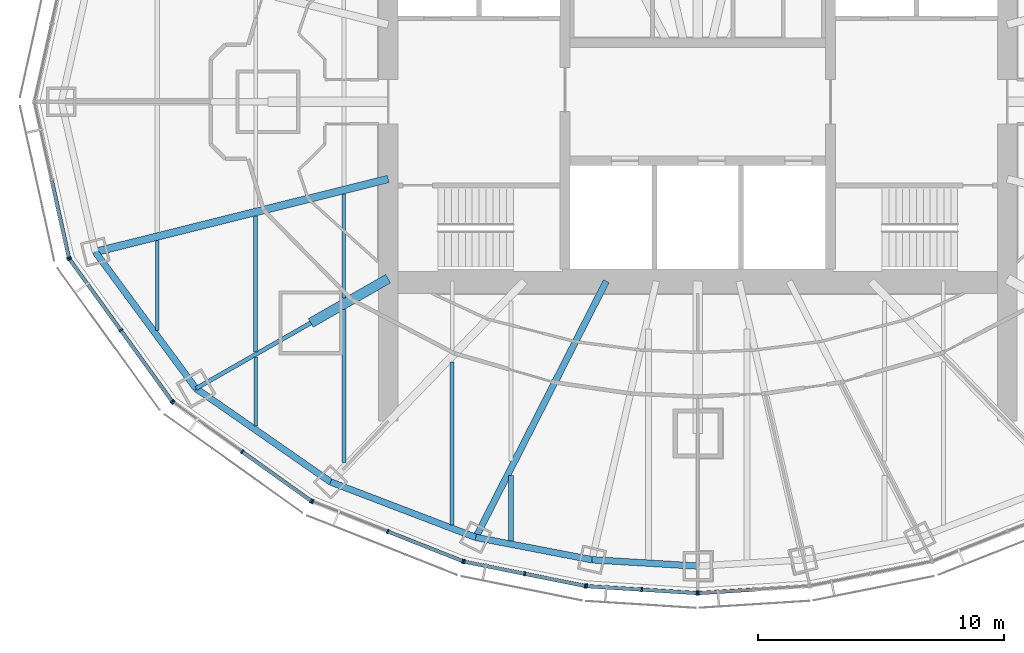
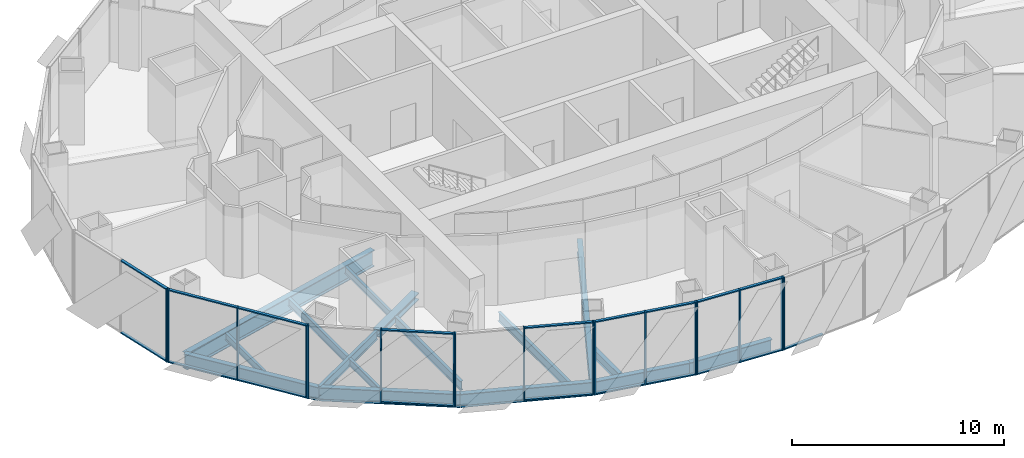
# One storey, part 2 of 17: 36 members, 16 beams, 7 elements without a shape of their own.
"""IFC4 building model written with IfcOpenShell, lengths in metres."""

from ifc_helpers import new_model, si_unit, direction, frame, origin, origin_2d, place, context, subcontext, project, spatial, rectangle, i_section, extrude, material, material_profile, profile_set, type_object, element, aggregate, save


model = new_model("IFC4")

# Units and contexts
model_context = context("Model", 3, precision=1e-05, world=origin(), true_north=direction((0.0, 1.0)))
body_context = subcontext(model_context, "Body", "Model", "MODEL_VIEW")
ifc_project = project(units=[si_unit("LENGTHUNIT", "METRE"), si_unit("AREAUNIT", "SQUARE_METRE"), si_unit("VOLUMEUNIT", "CUBIC_METRE"), si_unit("PLANEANGLEUNIT", "RADIAN"), si_unit("MASSUNIT", "GRAM", prefix="KILO")], contexts=[model_context])

# Site, building, storey
site_placement = place(None, origin())
site = spatial("IfcSite", under=ifc_project, at=site_placement, CompositionType="ELEMENT")
building_placement = place(site_placement, origin())
building = spatial("IfcBuilding", under=site, at=building_placement, Name="Lantaw Convention Tower", CompositionType="ELEMENT")
storey_placement = place(building_placement, frame((0.0, 0.0, 224.199951171875)))
storey = spatial("IfcBuildingStorey", under=building, at=storey_placement, Name="L52", CompositionType="ELEMENT", Elevation=224.199951171875)

# Beams
ifc_material_1 = material(Name="Steel ASTM A992", Category="steel")
ifc_material_profile_1 = material_profile(ifc_material_1, i_section(OverallWidth=0.2666015625, OverallDepth=0.76953125, WebThickness=0.015625, FlangeThickness=0.025390625, FilletRadius=0.0126953125, at=origin_2d()), Name="W30X132")
ifc_profile_set_1 = profile_set([ifc_material_profile_1], Name="Steel ASTM A992")
beam_type_1 = type_object("IfcBeamType", Name="Beam E W30X132", PredefinedType="SPANDREL", material=ifc_profile_set_1)
beam_1_placement = place(storey_placement, frame((-24.52197265625, -6.114013671875, -0.53466796875), z_axis=(0.593639188853, -0.804731329984, 0.0), x_axis=(0.804731329984, 0.593639188853, 0.0)))
element("IfcBeam", 1, at=beam_1_placement, inside=storey, type_object=beam_type_1, Name="Edge beam 14", PredefinedType="SPANDREL", context=body_context, shape_type="SweptSolid", body=[
    extrude(i_section(OverallWidth=0.2666015625, OverallDepth=0.76953125, WebThickness=0.015625, FlangeThickness=0.025390625, FilletRadius=0.0126953125, at=origin_2d()), origin(), (0.0, 0.0, 1.0), 6.904541015625),
])
beam_2_placement = place(storey_placement, frame((-20.423095703125, -11.67041015625, -0.53466796875), z_axis=(0.82135329406, -0.570419815869, 0.0), x_axis=(0.570419815869, 0.82135329406, 0.0)))
element("IfcBeam", 2, at=beam_2_placement, inside=storey, type_object=beam_type_1, Name="Edge beam 15", PredefinedType="SPANDREL", context=body_context, shape_type="SweptSolid", body=[
    extrude(i_section(OverallWidth=0.2666015625, OverallDepth=0.76953125, WebThickness=0.015625, FlangeThickness=0.025390625, FilletRadius=0.0126953125, at=origin_2d()), origin(), (0.0, 0.0, 1.0), 6.67041015625),
])
beam_3_placement = place(storey_placement, frame((-14.9443359375, -15.475341796875, -0.53466796875), z_axis=(0.934234988, -0.356658081637, 0.0), x_axis=(0.356658081637, 0.934234988, 0.0)))
element("IfcBeam", 3, at=beam_3_placement, inside=storey, type_object=beam_type_1, Name="Edge beam 16", PredefinedType="SPANDREL", context=body_context, shape_type="SweptSolid", body=[
    extrude(i_section(OverallWidth=0.2666015625, OverallDepth=0.76953125, WebThickness=0.015625, FlangeThickness=0.025390625, FilletRadius=0.0126953125, at=origin_2d()), origin(), (0.0, 0.0, 1.0), 6.32568359375),
])
beam_4_placement = place(storey_placement, frame((-9.03466796875, -17.7314453125, -0.53466796875), z_axis=(0.981972091702, -0.189025953556, 0.0), x_axis=(0.189025953556, 0.981972091702, 0.0)))
element("IfcBeam", 4, at=beam_4_placement, inside=storey, type_object=beam_type_1, Name="Edge beam 17", PredefinedType="SPANDREL", context=body_context, shape_type="SweptSolid", body=[
    extrude(i_section(OverallWidth=0.2666015625, OverallDepth=0.76953125, WebThickness=0.015625, FlangeThickness=0.025390625, FilletRadius=0.0126953125, at=origin_2d()), origin(), (0.0, 0.0, 1.0), 4.817626953125),
])
beam_5_placement = place(storey_placement, frame((-4.303955078125, -18.64208984375, -0.53466796875), z_axis=(0.998210730897, -0.059794119452, 0.0), x_axis=(0.059794119452, 0.998210730897, 0.0)))
element("IfcBeam", 5, at=beam_5_placement, inside=storey, type_object=beam_type_1, Name="Edge beam 18", PredefinedType="SPANDREL", context=body_context, shape_type="SweptSolid", body=[
    extrude(i_section(OverallWidth=0.2666015625, OverallDepth=0.76953125, WebThickness=0.015625, FlangeThickness=0.025390625, FilletRadius=0.0126953125, at=origin_2d()), origin(), (0.0, 0.0, 1.0), 4.311767578125),
])
ifc_material_profile_2 = material_profile(ifc_material_1, i_section(OverallWidth=0.1650390625, OverallDepth=0.52587890625, WebThickness=0.0087890625, FlangeThickness=0.011474609375, FilletRadius=0.0126953125, at=origin_2d()), Name="W21X44")
ifc_profile_set_2 = profile_set([ifc_material_profile_2], Name="Steel ASTM A992")
beam_type_2 = type_object("IfcBeamType", Name="Beam G W21X44", PredefinedType="BEAM", material=ifc_profile_set_2)
beam_6_placement = place(storey_placement, frame((-15.75, -9.0, -0.412841796875), z_axis=(-0.868237559289, -0.496148708192, 0.0), x_axis=(0.496148708192, -0.868237559289, 0.0)))
element("IfcBeam", 6, at=beam_6_placement, inside=storey, type_object=beam_type_2, Name="Floor girder on ray 15", PredefinedType="BEAM", context=body_context, shape_type="SweptSolid", body=[
    extrude(i_section(OverallWidth=0.1650390625, OverallDepth=0.52587890625, WebThickness=0.0087890625, FlangeThickness=0.011474609375, FilletRadius=0.0126953125, at=origin_2d()), origin(), (0.0, 0.0, 1.0), 5.38232421875),
])
ifc_material_profile_3 = material_profile(ifc_material_1, i_section(OverallWidth=0.2666015625, OverallDepth=0.7568359375, WebThickness=0.013916015625, FlangeThickness=0.019287109375, FilletRadius=0.0126953125, at=origin_2d()), Name="W30X108")
ifc_profile_set_3 = profile_set([ifc_material_profile_3], Name="Steel ASTM A992")
beam_type_3 = type_object("IfcBeamType", Name="Beam G W30X108", PredefinedType="BEAM", material=ifc_profile_set_3)
beam_7_placement = place(storey_placement, frame((-3.719482421875, -7.300048828125, -0.5283203125), z_axis=(-0.4539988787, -0.891002254845, 0.0), x_axis=(0.891002254845, -0.4539988787, 0.0)))
element("IfcBeam", 7, at=beam_7_placement, inside=storey, type_object=beam_type_3, Name="Floor girder on ray 17", PredefinedType="BEAM", context=body_context, shape_type="SweptSolid", body=[
    extrude(i_section(OverallWidth=0.2666015625, OverallDepth=0.7568359375, WebThickness=0.013916015625, FlangeThickness=0.019287109375, FilletRadius=0.0126953125, at=origin_2d()), origin(), (0.0, 0.0, 1.0), 11.70751953125),
])
ifc_material_profile_4 = material_profile(ifc_material_1, i_section(OverallWidth=0.307373046875, OverallDepth=0.9423828125, WebThickness=0.022216796875, FlangeThickness=0.039794921875, FilletRadius=0.0126953125, at=origin_2d()), Name="W36X232")
ifc_profile_set_4 = profile_set([ifc_material_profile_4], Name="Steel ASTM A992")
beam_type_4 = type_object("IfcBeamType", Name="Beam G W36X232", PredefinedType="BEAM", material=ifc_profile_set_4)
beam_8_placement = place(storey_placement, frame((-12.60009765625, -3.1416015625, -0.62109375), z_axis=(-0.970296589314, -0.241918434119, 0.0), x_axis=(0.241918434119, -0.970296589314, 0.0)))
element("IfcBeam", 8, at=beam_8_placement, inside=storey, type_object=beam_type_4, Name="Floor girder on ray 14", PredefinedType="BEAM", context=body_context, shape_type="SweptSolid", body=[
    extrude(i_section(OverallWidth=0.307373046875, OverallDepth=0.9423828125, WebThickness=0.022216796875, FlangeThickness=0.039794921875, FilletRadius=0.0126953125, at=origin_2d()), origin(), (0.0, 0.0, 1.0), 12.286865234375),
])
ifc_material_profile_5 = material_profile(ifc_material_1, i_section(OverallWidth=0.40380859375, OverallDepth=0.406494140625, WebThickness=0.027099609375, FlangeThickness=0.043701171875, FilletRadius=0.01513671875, at=origin_2d()), Name="W14X233")
ifc_profile_set_5 = profile_set([ifc_material_profile_5], Name="Steel ASTM A992")
beam_type_5 = type_object("IfcBeamType", Name="Beam GM W14X233", PredefinedType="BEAM", material=ifc_profile_set_5)
beam_9_placement = place(storey_placement, frame((-12.60009765625, -7.199951171875, -0.353271484375), z_axis=(-0.868230718294, -0.496160679428, 0.0), x_axis=(0.496160679428, -0.868230718294, 0.0)))
element("IfcBeam", 9, at=beam_9_placement, inside=storey, type_object=beam_type_5, Name="Core link beam on ray 15", PredefinedType="BEAM", context=body_context, shape_type="SweptSolid", body=[
    extrude(i_section(OverallWidth=0.40380859375, OverallDepth=0.406494140625, WebThickness=0.027099609375, FlangeThickness=0.043701171875, FilletRadius=0.01513671875, at=origin_2d()), origin(), (0.0, 0.0, 1.0), 3.6279296875),
])
ifc_material_profile_6 = material_profile(ifc_material_1, i_section(OverallWidth=0.140380859375, OverallDepth=0.40380859375, WebThickness=0.007080078125, FlangeThickness=0.01123046875, FilletRadius=0.01025390625, at=origin_2d()), Name="W16X31")
ifc_profile_set_6 = profile_set([ifc_material_profile_6], Name="Steel ASTM A992")
beam_type_6 = type_object("IfcBeamType", Name="Beam J W16X31", PredefinedType="JOIST", material=ifc_profile_set_6)
beam_10_placement = place(storey_placement, frame((-22.0, -9.30810546875, -0.351806640625), z_axis=(0.0, 1.0, 0.0), x_axis=(-1.0, 0.0, 0.0)))
element("IfcBeam", 10, at=beam_10_placement, inside=storey, type_object=beam_type_6, Name="Floor joist", PredefinedType="JOIST", context=body_context, shape_type="SweptSolid", body=[
    extrude(i_section(OverallWidth=0.140380859375, OverallDepth=0.40380859375, WebThickness=0.007080078125, FlangeThickness=0.01123046875, FilletRadius=0.01025390625, at=origin_2d()), origin(), (0.0, 0.0, 1.0), 3.66455078125),
])
beam_11_placement = place(storey_placement, frame((-18.0, -13.19091796875, -0.351806640625), z_axis=(0.0, 1.0, 0.0), x_axis=(-1.0, 0.0, 0.0)))
element("IfcBeam", 11, at=beam_11_placement, inside=storey, type_object=beam_type_6, Name="Floor joist", PredefinedType="JOIST", context=body_context, shape_type="SweptSolid", body=[
    extrude(i_section(OverallWidth=0.140380859375, OverallDepth=0.40380859375, WebThickness=0.007080078125, FlangeThickness=0.01123046875, FilletRadius=0.01025390625, at=origin_2d()), origin(), (0.0, 0.0, 1.0), 2.81005859375),
])
beam_12_placement = place(storey_placement, frame((-14.39990234375, -7.99609375, -0.351806640625), z_axis=(0.0, 1.0, 0.0), x_axis=(-1.0, 0.0, 0.0)))
element("IfcBeam", 12, at=beam_12_placement, inside=storey, type_object=beam_type_6, Name="Floor joist", PredefinedType="JOIST", context=body_context, shape_type="SweptSolid", body=[
    extrude(i_section(OverallWidth=0.140380859375, OverallDepth=0.40380859375, WebThickness=0.007080078125, FlangeThickness=0.01123046875, FilletRadius=0.01025390625, at=origin_2d()), origin(), (0.0, 0.0, 1.0), 4.247314453125),
])
ifc_material_profile_7 = material_profile(ifc_material_1, i_section(OverallWidth=0.15234375, OverallDepth=0.449462890625, WebThickness=0.007568359375, FlangeThickness=0.0107421875, FilletRadius=0.01025390625, at=origin_2d()), Name="W18X35")
ifc_profile_set_7 = profile_set([ifc_material_profile_7], Name="Steel ASTM A992")
beam_type_7 = type_object("IfcBeamType", Name="Beam J W18X35", PredefinedType="JOIST", material=ifc_profile_set_7)
beam_13_placement = place(storey_placement, frame((-18.0, -10.190673828125, -0.374755859375), z_axis=(0.0, 1.0, 0.0), x_axis=(-1.0, 0.0, 0.0)))
element("IfcBeam", 13, at=beam_13_placement, inside=storey, type_object=beam_type_7, Name="Floor joist", PredefinedType="JOIST", context=body_context, shape_type="SweptSolid", body=[
    extrude(i_section(OverallWidth=0.15234375, OverallDepth=0.449462890625, WebThickness=0.007568359375, FlangeThickness=0.0107421875, FilletRadius=0.01025390625, at=origin_2d()), origin(), (0.0, 0.0, 1.0), 5.54443359375),
])
ifc_material_profile_8 = material_profile(ifc_material_1, i_section(OverallWidth=0.1650390625, OverallDepth=0.52587890625, WebThickness=0.0087890625, FlangeThickness=0.011474609375, FilletRadius=0.0126953125, at=origin_2d()), Name="W21X44")
ifc_profile_set_8 = profile_set([ifc_material_profile_8], Name="Steel ASTM A992")
beam_type_8 = type_object("IfcBeamType", Name="Beam J W21X44", PredefinedType="JOIST", material=ifc_profile_set_8)
beam_14_placement = place(storey_placement, frame((-14.39990234375, -14.67578125, -0.412841796875), z_axis=(0.0, 1.0, 0.0), x_axis=(-1.0, 0.0, 0.0)))
element("IfcBeam", 14, at=beam_14_placement, inside=storey, type_object=beam_type_8, Name="Floor joist", PredefinedType="JOIST", context=body_context, shape_type="SweptSolid", body=[
    extrude(i_section(OverallWidth=0.1650390625, OverallDepth=0.52587890625, WebThickness=0.0087890625, FlangeThickness=0.011474609375, FilletRadius=0.0126953125, at=origin_2d()), origin(), (0.0, 0.0, 1.0), 6.214599609375),
])
beam_15_placement = place(storey_placement, frame((-10.0, -17.22021484375, -0.412841796875), z_axis=(0.0, 1.0, 0.0), x_axis=(-1.0, 0.0, 0.0)))
element("IfcBeam", 15, at=beam_15_placement, inside=storey, type_object=beam_type_8, Name="Floor joist", PredefinedType="JOIST", context=body_context, shape_type="SweptSolid", body=[
    extrude(i_section(OverallWidth=0.1650390625, OverallDepth=0.52587890625, WebThickness=0.0087890625, FlangeThickness=0.011474609375, FilletRadius=0.0126953125, at=origin_2d()), origin(), (0.0, 0.0, 1.0), 6.629150390625),
])
ifc_material_profile_9 = material_profile(ifc_material_1, i_section(OverallWidth=0.2099609375, OverallDepth=0.535888671875, WebThickness=0.010986328125, FlangeThickness=0.017333984375, FilletRadius=0.012939453125, at=origin_2d()), Name="W21X68")
ifc_profile_set_9 = profile_set([ifc_material_profile_9], Name="Steel ASTM A992")
beam_type_9 = type_object("IfcBeamType", Name="Beam J W21X68", PredefinedType="JOIST", material=ifc_profile_set_9)
beam_16_placement = place(storey_placement, frame((-7.60009765625, -17.871826171875, -0.41796875), z_axis=(0.0, 1.0, 0.0), x_axis=(-1.0, 0.0, 0.0)))
element("IfcBeam", 16, at=beam_16_placement, inside=storey, type_object=beam_type_9, Name="Floor joist", PredefinedType="JOIST", context=body_context, shape_type="SweptSolid", body=[
    extrude(i_section(OverallWidth=0.2099609375, OverallDepth=0.535888671875, WebThickness=0.010986328125, FlangeThickness=0.017333984375, FilletRadius=0.012939453125, at=origin_2d()), origin(), (0.0, 0.0, 1.0), 2.662353515625),
])

# Curtain wall, member
ifc_material_2 = material(Name="Aluminium framed curtain wall", Category="aluminium")
curtain_wall_type = type_object("IfcCurtainWallType", Name="Office curtain wall high rise, pale aluminium", PredefinedType="USERDEFINED", material=ifc_material_2)
curtain_wall_1_placement = place(storey_placement, origin())
curtain_wall_1 = element("IfcCurtainWall", 17, at=curtain_wall_1_placement, inside=storey, type_object=curtain_wall_type, Name="Office curtain wall high rise, pale aluminium L52", ObjectType="UNITISED CURTAIN WALL", PredefinedType="USERDEFINED")
ifc_material_3 = material(Name="Aluminium 6063-T6", Category="aluminium")
ifc_material_profile_10 = material_profile(ifc_material_3, rectangle(XDim=0.179931640625, YDim=0.06494140625, at=origin_2d()), Name="CW-O2 mullion 65x180")
ifc_profile_set_10 = profile_set([ifc_material_profile_10], Name="Aluminium 6063-T6")
member_type_1 = type_object("IfcMemberType", Name="CW-O2 mullion 65x180", PredefinedType="MULLION", material=ifc_profile_set_10)
member_1_placement = place(storey_placement, frame((-25.596435546875, -6.348388671875, -0.14990234375), z_axis=(0.0, 0.0, 1.0), x_axis=(0.976417396437, 0.215891333626, 0.0)))
member_1 = element("IfcMember", 18, at=member_1_placement, type_object=member_type_1, Name="CW-O2 mullion 3", PredefinedType="MULLION", context=body_context, shape_type="SweptSolid", body=[
    extrude(rectangle(XDim=0.179931640625, YDim=0.06494140625, at=origin_2d()), origin(), (0.0, 0.0, 1.0), 4.199951171875),
])

# Curtain wall, members
curtain_wall_2_placement = place(storey_placement, origin())
curtain_wall_2 = element("IfcCurtainWall", 19, at=curtain_wall_2_placement, inside=storey, type_object=curtain_wall_type, Name="Office curtain wall high rise, pale aluminium L52", ObjectType="UNITISED CURTAIN WALL", PredefinedType="USERDEFINED")
member_2_placement = place(storey_placement, frame((-25.5703125, -6.406494140625, -0.14990234375), z_axis=(0.0, 0.0, 1.0), x_axis=(0.810919559405, 0.585157643865, 0.0)))
member_2 = element("IfcMember", 20, at=member_2_placement, type_object=member_type_1, Name="CW-O2 mullion 1", PredefinedType="MULLION", context=body_context, shape_type="SweptSolid", body=[
    extrude(rectangle(XDim=0.179931640625, YDim=0.06494140625, at=origin_2d()), origin(), (0.0, 0.0, 1.0), 4.199951171875),
])
member_3_placement = place(storey_placement, frame((-23.483642578125, -9.298095703125, -0.14990234375), z_axis=(0.0, 0.0, 1.0), x_axis=(0.810919559405, 0.585157643865, 0.0)))
member_3 = element("IfcMember", 21, at=member_3_placement, type_object=member_type_1, Name="CW-O2 mullion 2", PredefinedType="MULLION", context=body_context, shape_type="SweptSolid", body=[
    extrude(rectangle(XDim=0.179931640625, YDim=0.06494140625, at=origin_2d()), origin(), (0.0, 0.0, 1.0), 4.199951171875),
])
member_4_placement = place(storey_placement, frame((-21.397216796875, -12.189697265625, -0.14990234375), z_axis=(0.0, 0.0, 1.0), x_axis=(0.810919559405, 0.585157643865, 0.0)))
member_4 = element("IfcMember", 22, at=member_4_placement, type_object=member_type_1, Name="CW-O2 mullion 3", PredefinedType="MULLION", context=body_context, shape_type="SweptSolid", body=[
    extrude(rectangle(XDim=0.179931640625, YDim=0.06494140625, at=origin_2d()), origin(), (0.0, 0.0, 1.0), 4.199951171875),
])

curtain_wall_3_placement = place(storey_placement, origin())
curtain_wall_3 = element("IfcCurtainWall", 23, at=curtain_wall_3_placement, inside=storey, type_object=curtain_wall_type, Name="Office curtain wall high rise, pale aluminium L52", ObjectType="UNITISED CURTAIN WALL", PredefinedType="USERDEFINED")
member_5_placement = place(storey_placement, frame((-21.3515625, -12.23486328125, -0.14990234375), z_axis=(0.0, 0.0, 1.0), x_axis=(0.581323487281, 0.813672540482, 0.0)))
member_5 = element("IfcMember", 24, at=member_5_placement, type_object=member_type_1, Name="CW-O2 mullion 1", PredefinedType="MULLION", context=body_context, shape_type="SweptSolid", body=[
    extrude(rectangle(XDim=0.179931640625, YDim=0.06494140625, at=origin_2d()), origin(), (0.0, 0.0, 1.0), 4.199951171875),
])
member_6_placement = place(storey_placement, frame((-18.543212890625, -14.241455078125, -0.14990234375), z_axis=(0.0, 0.0, 1.0), x_axis=(0.581323487281, 0.813672540482, 0.0)))
member_6 = element("IfcMember", 25, at=member_6_placement, type_object=member_type_1, Name="CW-O2 mullion 2", PredefinedType="MULLION", context=body_context, shape_type="SweptSolid", body=[
    extrude(rectangle(XDim=0.179931640625, YDim=0.06494140625, at=origin_2d()), origin(), (0.0, 0.0, 1.0), 4.199951171875),
])
member_7_placement = place(storey_placement, frame((-15.73486328125, -16.247802734375, -0.14990234375), z_axis=(0.0, 0.0, 1.0), x_axis=(0.581323487281, 0.813672540482, 0.0)))
member_7 = element("IfcMember", 26, at=member_7_placement, type_object=member_type_1, Name="CW-O2 mullion 3", PredefinedType="MULLION", context=body_context, shape_type="SweptSolid", body=[
    extrude(rectangle(XDim=0.179931640625, YDim=0.06494140625, at=origin_2d()), origin(), (0.0, 0.0, 1.0), 4.199951171875),
])

curtain_wall_4_placement = place(storey_placement, origin())
curtain_wall_4 = element("IfcCurtainWall", 27, at=curtain_wall_4_placement, inside=storey, type_object=curtain_wall_type, Name="Office curtain wall high rise, pale aluminium L52", ObjectType="UNITISED CURTAIN WALL", PredefinedType="USERDEFINED")
member_8_placement = place(storey_placement, frame((-15.67822265625, -16.278564453125, -0.14990234375), z_axis=(0.0, 0.0, 1.0), x_axis=(0.368162315252, 0.929761533743, 0.0)))
member_8 = element("IfcMember", 28, at=member_8_placement, type_object=member_type_1, Name="CW-O2 mullion 1", PredefinedType="MULLION", context=body_context, shape_type="SweptSolid", body=[
    extrude(rectangle(XDim=0.179931640625, YDim=0.06494140625, at=origin_2d()), origin(), (0.0, 0.0, 1.0), 4.199951171875),
])
member_9_placement = place(storey_placement, frame((-12.621337890625, -17.4892578125, -0.14990234375), z_axis=(0.0, 0.0, 1.0), x_axis=(0.368162315252, 0.929761533743, 0.0)))
member_9 = element("IfcMember", 29, at=member_9_placement, type_object=member_type_1, Name="CW-O2 mullion 2", PredefinedType="MULLION", context=body_context, shape_type="SweptSolid", body=[
    extrude(rectangle(XDim=0.179931640625, YDim=0.06494140625, at=origin_2d()), origin(), (0.0, 0.0, 1.0), 4.199951171875),
])
member_10_placement = place(storey_placement, frame((-9.564208984375, -18.69970703125, -0.14990234375), z_axis=(0.0, 0.0, 1.0), x_axis=(0.368162315252, 0.929761533743, 0.0)))
member_10 = element("IfcMember", 30, at=member_10_placement, type_object=member_type_1, Name="CW-O2 mullion 3", PredefinedType="MULLION", context=body_context, shape_type="SweptSolid", body=[
    extrude(rectangle(XDim=0.179931640625, YDim=0.06494140625, at=origin_2d()), origin(), (0.0, 0.0, 1.0), 4.199951171875),
])

curtain_wall_5_placement = place(storey_placement, origin())
curtain_wall_5 = element("IfcCurtainWall", 31, at=curtain_wall_5_placement, inside=storey, type_object=curtain_wall_type, Name="Office curtain wall high rise, pale aluminium L52", ObjectType="UNITISED CURTAIN WALL", PredefinedType="USERDEFINED")
member_11_placement = place(storey_placement, frame((-9.502197265625, -18.718017578125, -0.14990234375), z_axis=(0.0, 0.0, 1.0), x_axis=(0.197183095987, 0.980366679695, 0.0)))
member_11 = element("IfcMember", 32, at=member_11_placement, type_object=member_type_1, Name="CW-O2 mullion 1", PredefinedType="MULLION", context=body_context, shape_type="SweptSolid", body=[
    extrude(rectangle(XDim=0.179931640625, YDim=0.06494140625, at=origin_2d()), origin(), (0.0, 0.0, 1.0), 4.199951171875),
])
member_12_placement = place(storey_placement, frame((-7.042724609375, -19.212646484375, -0.14990234375), z_axis=(0.0, 0.0, 1.0), x_axis=(0.197183095987, 0.980366679695, 0.0)))
member_12 = element("IfcMember", 33, at=member_12_placement, type_object=member_type_1, Name="CW-O2 mullion 2", PredefinedType="MULLION", context=body_context, shape_type="SweptSolid", body=[
    extrude(rectangle(XDim=0.179931640625, YDim=0.06494140625, at=origin_2d()), origin(), (0.0, 0.0, 1.0), 4.199951171875),
])
member_13_placement = place(storey_placement, frame((-4.583251953125, -19.70751953125, -0.14990234375), z_axis=(0.0, 0.0, 1.0), x_axis=(0.197183095987, 0.980366679695, 0.0)))
member_13 = element("IfcMember", 34, at=member_13_placement, type_object=member_type_1, Name="CW-O2 mullion 3", PredefinedType="MULLION", context=body_context, shape_type="SweptSolid", body=[
    extrude(rectangle(XDim=0.179931640625, YDim=0.06494140625, at=origin_2d()), origin(), (0.0, 0.0, 1.0), 4.199951171875),
])

curtain_wall_6_placement = place(storey_placement, origin())
curtain_wall_6 = element("IfcCurtainWall", 35, at=curtain_wall_6_placement, inside=storey, type_object=curtain_wall_type, Name="Office curtain wall high rise, pale aluminium L52", ObjectType="UNITISED CURTAIN WALL", PredefinedType="USERDEFINED")
member_14_placement = place(storey_placement, frame((-4.518798828125, -19.7158203125, -0.14990234375), z_axis=(0.0, 0.0, 1.0), x_axis=(0.062757983884, 0.998028774865, 0.0)))
member_14 = element("IfcMember", 36, at=member_14_placement, type_object=member_type_1, Name="CW-O2 mullion 1", PredefinedType="MULLION", context=body_context, shape_type="SweptSolid", body=[
    extrude(rectangle(XDim=0.179931640625, YDim=0.06494140625, at=origin_2d()), origin(), (0.0, 0.0, 1.0), 4.199951171875),
])
member_15_placement = place(storey_placement, frame((-2.275634765625, -19.85693359375, -0.14990234375), z_axis=(0.0, 0.0, 1.0), x_axis=(0.062757983884, 0.998028774865, 0.0)))
member_15 = element("IfcMember", 37, at=member_15_placement, type_object=member_type_1, Name="CW-O2 mullion 2", PredefinedType="MULLION", context=body_context, shape_type="SweptSolid", body=[
    extrude(rectangle(XDim=0.179931640625, YDim=0.06494140625, at=origin_2d()), origin(), (0.0, 0.0, 1.0), 4.199951171875),
])
member_16_placement = place(storey_placement, frame((-0.032470703125, -19.998046875, -0.14990234375), z_axis=(0.0, 0.0, 1.0), x_axis=(0.062757983884, 0.998028774865, 0.0)))
member_16 = element("IfcMember", 38, at=member_16_placement, type_object=member_type_1, Name="CW-O2 mullion 3", PredefinedType="MULLION", context=body_context, shape_type="SweptSolid", body=[
    extrude(rectangle(XDim=0.179931640625, YDim=0.06494140625, at=origin_2d()), origin(), (0.0, 0.0, 1.0), 4.199951171875),
])

# Curtain wall, member
curtain_wall_7_placement = place(storey_placement, origin())
curtain_wall_7 = element("IfcCurtainWall", 39, at=curtain_wall_7_placement, inside=storey, type_object=curtain_wall_type, Name="Office curtain wall high rise, pale aluminium L52", ObjectType="UNITISED CURTAIN WALL", PredefinedType="USERDEFINED")
member_17_placement = place(storey_placement, frame((0.032470703125, -19.998046875, -0.14990234375), z_axis=(0.0, 0.0, 1.0), x_axis=(-0.062757983884, 0.998028774865, 0.0)))
member_17 = element("IfcMember", 40, at=member_17_placement, type_object=member_type_1, Name="CW-O2 mullion 1", PredefinedType="MULLION", context=body_context, shape_type="SweptSolid", body=[
    extrude(rectangle(XDim=0.179931640625, YDim=0.06494140625, at=origin_2d()), origin(), (0.0, 0.0, 1.0), 4.199951171875),
])

# Member
ifc_material_profile_11 = material_profile(ifc_material_3, rectangle(XDim=0.14990234375, YDim=0.06494140625, at=origin_2d()), Name="CW-O2 transom 65x150")
ifc_profile_set_11 = profile_set([ifc_material_profile_11], Name="Aluminium 6063-T6")
member_type_2 = type_object("IfcMemberType", Name="CW-O2 transom 65x150", PredefinedType="USERDEFINED", material=ifc_profile_set_11)
member_18_placement = place(storey_placement, frame((-26.28759765625, -3.2216796875, -0.117431640625), z_axis=(0.215894607042, -0.976416672661, 0.0), x_axis=(0.976416672661, 0.215894607042, 0.0)))
member_18 = element("IfcMember", 41, at=member_18_placement, type_object=member_type_2, Name="CW-O2 transom 2.1", ObjectType="TRANSOM", PredefinedType="USERDEFINED", context=body_context, shape_type="SweptSolid", body=[
    extrude(rectangle(XDim=0.14990234375, YDim=0.06494140625, at=origin_2d()), origin(), (0.0, 0.0, 1.0), 3.169677734375),
])

member_19_placement = place(storey_placement, frame((-26.28759765625, -3.2216796875, 4.017578125), z_axis=(0.215894607042, -0.976416672661, 0.0), x_axis=(0.976416672661, 0.215894607042, 0.0)))
member_19 = element("IfcMember", 42, at=member_19_placement, type_object=member_type_2, Name="CW-O2 transom 2.2", ObjectType="TRANSOM", PredefinedType="USERDEFINED", context=body_context, shape_type="SweptSolid", body=[
    extrude(rectangle(XDim=0.14990234375, YDim=0.06494140625, at=origin_2d()), origin(), (0.0, 0.0, 1.0), 3.169677734375),
])

aggregate(curtain_wall_1, [member_1, member_18, member_19])

member_20_placement = place(storey_placement, frame((-25.55126953125, -6.432861328125, -0.117431640625), z_axis=(0.585169685931, -0.810910869743, 0.0), x_axis=(0.810910869743, 0.585169685931, 0.0)))
member_20 = element("IfcMember", 43, at=member_20_placement, type_object=member_type_2, Name="CW-O2 transom 1.1", ObjectType="TRANSOM", PredefinedType="USERDEFINED", context=body_context, shape_type="SweptSolid", body=[
    extrude(rectangle(XDim=0.14990234375, YDim=0.06494140625, at=origin_2d()), origin(), (0.0, 0.0, 1.0), 3.500732421875),
])

member_21_placement = place(storey_placement, frame((-25.55126953125, -6.432861328125, 4.017578125), z_axis=(0.585169685931, -0.810910869743, 0.0), x_axis=(0.810910869743, 0.585169685931, 0.0)))
member_21 = element("IfcMember", 44, at=member_21_placement, type_object=member_type_2, Name="CW-O2 transom 1.2", ObjectType="TRANSOM", PredefinedType="USERDEFINED", context=body_context, shape_type="SweptSolid", body=[
    extrude(rectangle(XDim=0.14990234375, YDim=0.06494140625, at=origin_2d()), origin(), (0.0, 0.0, 1.0), 3.500732421875),
])

member_22_placement = place(storey_placement, frame((-23.464599609375, -9.324462890625, -0.117431640625), z_axis=(0.585123825205, -0.810943961798, 0.0), x_axis=(0.810943961798, 0.585123825205, 0.0)))
member_22 = element("IfcMember", 45, at=member_22_placement, type_object=member_type_2, Name="CW-O2 transom 2.1", ObjectType="TRANSOM", PredefinedType="USERDEFINED", context=body_context, shape_type="SweptSolid", body=[
    extrude(rectangle(XDim=0.14990234375, YDim=0.06494140625, at=origin_2d()), origin(), (0.0, 0.0, 1.0), 3.500732421875),
])

member_23_placement = place(storey_placement, frame((-23.464599609375, -9.324462890625, 4.017578125), z_axis=(0.585123825205, -0.810943961798, 0.0), x_axis=(0.810943961798, 0.585123825205, 0.0)))
member_23 = element("IfcMember", 46, at=member_23_placement, type_object=member_type_2, Name="CW-O2 transom 2.2", ObjectType="TRANSOM", PredefinedType="USERDEFINED", context=body_context, shape_type="SweptSolid", body=[
    extrude(rectangle(XDim=0.14990234375, YDim=0.06494140625, at=origin_2d()), origin(), (0.0, 0.0, 1.0), 3.500732421875),
])

aggregate(curtain_wall_2, [member_2, member_3, member_4, member_20, member_21, member_22, member_23])

member_24_placement = place(storey_placement, frame((-18.516845703125, -14.26025390625, -0.117431640625), z_axis=(0.813645780821, -0.581360940683, 0.0), x_axis=(0.581360940683, 0.813645780821, 0.0)))
member_24 = element("IfcMember", 47, at=member_24_placement, type_object=member_type_2, Name="CW-O2 transom 2.1", ObjectType="TRANSOM", PredefinedType="USERDEFINED", context=body_context, shape_type="SweptSolid", body=[
    extrude(rectangle(XDim=0.14990234375, YDim=0.06494140625, at=origin_2d()), origin(), (0.0, 0.0, 1.0), 3.386474609375),
])

member_25_placement = place(storey_placement, frame((-18.516845703125, -14.26025390625, 4.017578125), z_axis=(0.813645780821, -0.581360940683, 0.0), x_axis=(0.581360940683, 0.813645780821, 0.0)))
member_25 = element("IfcMember", 48, at=member_25_placement, type_object=member_type_2, Name="CW-O2 transom 2.2", ObjectType="TRANSOM", PredefinedType="USERDEFINED", context=body_context, shape_type="SweptSolid", body=[
    extrude(rectangle(XDim=0.14990234375, YDim=0.06494140625, at=origin_2d()), origin(), (0.0, 0.0, 1.0), 3.386474609375),
])

aggregate(curtain_wall_3, [member_5, member_6, member_7, member_24, member_25])

member_26_placement = place(storey_placement, frame((-12.591064453125, -17.501220703125, -0.117431640625), z_axis=(0.929766642946, -0.368149412149, 0.0), x_axis=(0.368149412149, 0.929766642946, 0.0)))
member_26 = element("IfcMember", 49, at=member_26_placement, type_object=member_type_2, Name="CW-O2 transom 2.1", ObjectType="TRANSOM", PredefinedType="USERDEFINED", context=body_context, shape_type="SweptSolid", body=[
    extrude(rectangle(XDim=0.14990234375, YDim=0.06494140625, at=origin_2d()), origin(), (0.0, 0.0, 1.0), 3.222900390625),
])

member_27_placement = place(storey_placement, frame((-12.591064453125, -17.501220703125, 4.017578125), z_axis=(0.929766642946, -0.368149412149, 0.0), x_axis=(0.368149412149, 0.929766642946, 0.0)))
member_27 = element("IfcMember", 50, at=member_27_placement, type_object=member_type_2, Name="CW-O2 transom 2.2", ObjectType="TRANSOM", PredefinedType="USERDEFINED", context=body_context, shape_type="SweptSolid", body=[
    extrude(rectangle(XDim=0.14990234375, YDim=0.06494140625, at=origin_2d()), origin(), (0.0, 0.0, 1.0), 3.222900390625),
])

aggregate(curtain_wall_4, [member_8, member_9, member_10, member_26, member_27])

member_28_placement = place(storey_placement, frame((-9.47021484375, -18.724365234375, -0.117431640625), z_axis=(0.98036104319, -0.197211117829, 0.0), x_axis=(0.197211117829, 0.98036104319, 0.0)))
member_28 = element("IfcMember", 51, at=member_28_placement, type_object=member_type_2, Name="CW-O2 transom 1.1", ObjectType="TRANSOM", PredefinedType="USERDEFINED", context=body_context, shape_type="SweptSolid", body=[
    extrude(rectangle(XDim=0.14990234375, YDim=0.06494140625, at=origin_2d()), origin(), (0.0, 0.0, 1.0), 2.44384765625),
])

member_29_placement = place(storey_placement, frame((-9.47021484375, -18.724365234375, 4.017578125), z_axis=(0.98036104319, -0.197211117829, 0.0), x_axis=(0.197211117829, 0.98036104319, 0.0)))
member_29 = element("IfcMember", 52, at=member_29_placement, type_object=member_type_2, Name="CW-O2 transom 1.2", ObjectType="TRANSOM", PredefinedType="USERDEFINED", context=body_context, shape_type="SweptSolid", body=[
    extrude(rectangle(XDim=0.14990234375, YDim=0.06494140625, at=origin_2d()), origin(), (0.0, 0.0, 1.0), 2.44384765625),
])

member_30_placement = place(storey_placement, frame((-7.0107421875, -19.21923828125, -0.117431640625), z_axis=(0.980380354178, -0.197115096178, 0.0), x_axis=(0.197115096178, 0.980380354178, 0.0)))
member_30 = element("IfcMember", 53, at=member_30_placement, type_object=member_type_2, Name="CW-O2 transom 2.1", ObjectType="TRANSOM", PredefinedType="USERDEFINED", context=body_context, shape_type="SweptSolid", body=[
    extrude(rectangle(XDim=0.14990234375, YDim=0.06494140625, at=origin_2d()), origin(), (0.0, 0.0, 1.0), 2.443603515625),
])

member_31_placement = place(storey_placement, frame((-7.0107421875, -19.21923828125, 4.017578125), z_axis=(0.980380354178, -0.197115096178, 0.0), x_axis=(0.197115096178, 0.980380354178, 0.0)))
member_31 = element("IfcMember", 54, at=member_31_placement, type_object=member_type_2, Name="CW-O2 transom 2.2", ObjectType="TRANSOM", PredefinedType="USERDEFINED", context=body_context, shape_type="SweptSolid", body=[
    extrude(rectangle(XDim=0.14990234375, YDim=0.06494140625, at=origin_2d()), origin(), (0.0, 0.0, 1.0), 2.443603515625),
])

aggregate(curtain_wall_5, [member_11, member_12, member_13, member_28, member_29, member_30, member_31])

member_32_placement = place(storey_placement, frame((-4.486328125, -19.7177734375, -0.117431640625), z_axis=(0.998021991509, -0.062865765437, 0.0), x_axis=(0.062865765437, 0.998021991509, 0.0)))
member_32 = element("IfcMember", 55, at=member_32_placement, type_object=member_type_2, Name="CW-O2 transom 1.1", ObjectType="TRANSOM", PredefinedType="USERDEFINED", context=body_context, shape_type="SweptSolid", body=[
    extrude(rectangle(XDim=0.14990234375, YDim=0.06494140625, at=origin_2d()), origin(), (0.0, 0.0, 1.0), 2.1826171875),
])

member_33_placement = place(storey_placement, frame((-4.486328125, -19.7177734375, 4.017578125), z_axis=(0.998021991509, -0.062865765437, 0.0), x_axis=(0.062865765437, 0.998021991509, 0.0)))
member_33 = element("IfcMember", 56, at=member_33_placement, type_object=member_type_2, Name="CW-O2 transom 1.2", ObjectType="TRANSOM", PredefinedType="USERDEFINED", context=body_context, shape_type="SweptSolid", body=[
    extrude(rectangle(XDim=0.14990234375, YDim=0.06494140625, at=origin_2d()), origin(), (0.0, 0.0, 1.0), 2.1826171875),
])

member_34_placement = place(storey_placement, frame((-2.2431640625, -19.85888671875, -0.117431640625), z_axis=(0.998029003644, -0.062754345555, 0.0), x_axis=(0.062754345555, 0.998029003644, 0.0)))
member_34 = element("IfcMember", 57, at=member_34_placement, type_object=member_type_2, Name="CW-O2 transom 2.1", ObjectType="TRANSOM", PredefinedType="USERDEFINED", context=body_context, shape_type="SweptSolid", body=[
    extrude(rectangle(XDim=0.14990234375, YDim=0.06494140625, at=origin_2d()), origin(), (0.0, 0.0, 1.0), 2.1826171875),
])

member_35_placement = place(storey_placement, frame((-2.2431640625, -19.85888671875, 4.017578125), z_axis=(0.998029003644, -0.062754345555, 0.0), x_axis=(0.062754345555, 0.998029003644, 0.0)))
member_35 = element("IfcMember", 58, at=member_35_placement, type_object=member_type_2, Name="CW-O2 transom 2.2", ObjectType="TRANSOM", PredefinedType="USERDEFINED", context=body_context, shape_type="SweptSolid", body=[
    extrude(rectangle(XDim=0.14990234375, YDim=0.06494140625, at=origin_2d()), origin(), (0.0, 0.0, 1.0), 2.1826171875),
])

aggregate(curtain_wall_6, [member_14, member_15, member_16, member_32, member_33, member_34, member_35])

member_36_placement = place(storey_placement, frame((0.06494140625, -19.995849609375, -0.117431640625), z_axis=(0.998029003644, 0.062754345555, 0.0), x_axis=(-0.062754345555, 0.998029003644, 0.0)))
member_36 = element("IfcMember", 59, at=member_36_placement, type_object=member_type_2, Name="CW-O2 transom 1.1", ObjectType="TRANSOM", PredefinedType="USERDEFINED", context=body_context, shape_type="SweptSolid", body=[
    extrude(rectangle(XDim=0.14990234375, YDim=0.06494140625, at=origin_2d()), origin(), (0.0, 0.0, 1.0), 2.1826171875),
])

aggregate(curtain_wall_7, [member_17, member_36])

save(model, "model.ifc")
